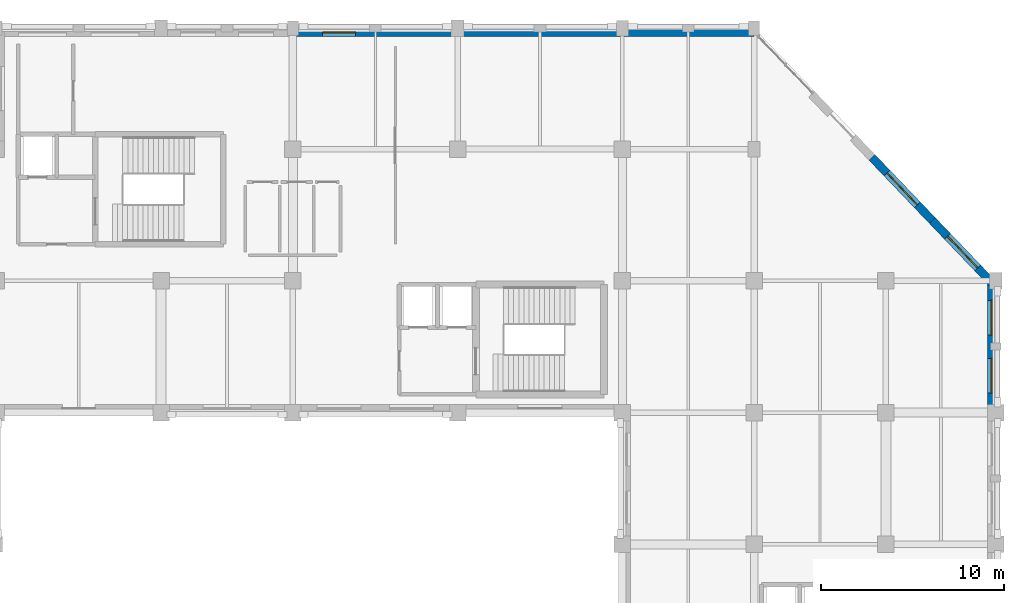
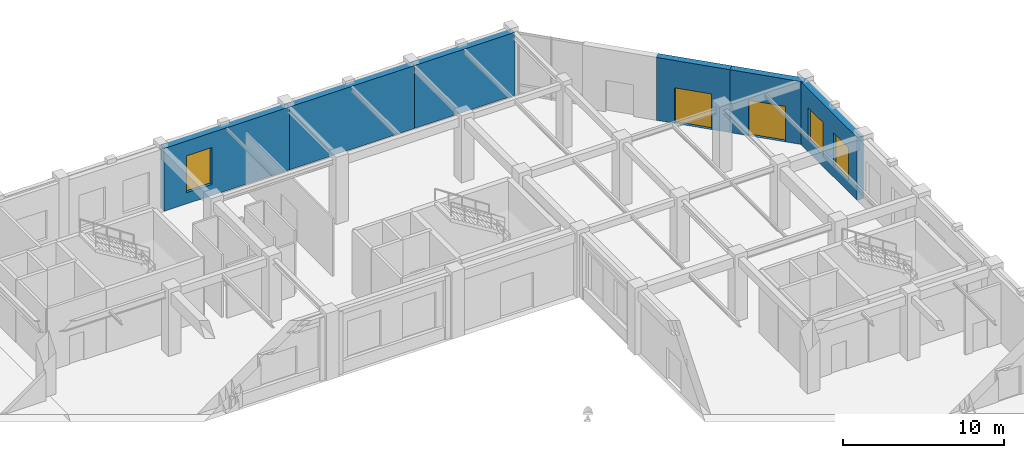
# One storey, part 55 of 64: 6 walls, 3 windows, 2 doors, 5 openings.
"""IFC4 building model written with IfcOpenShell, lengths in metres."""

from ifc_helpers import new_model, si_unit, direction, frame, frame_2d, origin, place, context, subcontext, project, spatial, rectangle, extrude, material, layer, layer_set, type_object, element, fill, save


model = new_model("IFC4")

# Units and contexts
model_context = context("Model", 3, precision=1e-05, world=origin(), true_north=direction((0.0, 1.0)))
body_context = subcontext(model_context, "Body", "Model", "MODEL_VIEW")
ifc_project = project(units=[si_unit("LENGTHUNIT", "METRE"), si_unit("AREAUNIT", "SQUARE_METRE"), si_unit("VOLUMEUNIT", "CUBIC_METRE"), si_unit("PLANEANGLEUNIT", "RADIAN"), si_unit("MASSUNIT", "GRAM", prefix="KILO")], contexts=[model_context])

# Site, building, storey
site_placement = place(None, origin())
site = spatial("IfcSite", under=ifc_project, at=site_placement, CompositionType="ELEMENT")
building_placement = place(site_placement, origin())
building = spatial("IfcBuilding", under=site, at=building_placement, Name="Clarverna Civic Hall", CompositionType="ELEMENT")
storey_placement = place(building_placement, origin())
storey = spatial("IfcBuildingStorey", under=building, at=storey_placement, Name="L00", CompositionType="ELEMENT", Elevation=0.0)

# Wall, opening, window
ifc_material_1 = material(Name="Precast concrete C40/50", Category="concrete")
ifc_layer = layer(ifc_material_1, 0.449951171875)
ifc_layer_set = layer_set([ifc_layer], Name="Precast concrete C40/50")
wall_type = type_object("IfcWallType", Name="EW-01", PredefinedType="SOLIDWALL", material=ifc_layer_set)
wall_1_placement = place(storey_placement, frame((129.60009765625, 115.77490234375, 0.0), z_axis=(0.0, 0.0, 1.0), x_axis=(1.0, 0.0, 0.0)))
wall_1 = element("IfcWall", 1, at=wall_1_placement, inside=storey, type_object=wall_type, Name="EW-01-037", PredefinedType="SOLIDWALL", context=body_context, shape_type="SweptSolid", body=[
    extrude(rectangle(XDim=9.0, YDim=0.449951171875, at=frame_2d((4.5, 0.0))), origin(), (0.0, 0.0, 1.0), 4.780029296875),
])
opening_1_placement = place(wall_1_placement, frame((1.6201171875, 0.0, 0.85009765625)))
opening_1 = element("IfcOpeningElement", 2, at=opening_1_placement, cuts=wall_1, Name="Opening WN-01", PredefinedType="OPENING", context=body_context, shape_type="SweptSolid", body=[
    extrude(rectangle(XDim=1.800048828125, YDim=2.800048828125, at=frame_2d((0.89990234375, 1.39990234375))), frame((0.0, 0.23486328125, 0.0), z_axis=(0.0, -1.0, 0.0), x_axis=(1.0, 0.0, 0.0)), (0.0, 0.0, 1.0), 0.469970703125),
])
ifc_material_2 = material(Name="Solar-Control Argon Low-E Double Glazing", Category="glass")
window_type_1 = type_object("IfcWindowType", Name="WN-01", PartitioningType="DOUBLE_PANEL_VERTICAL", PredefinedType="WINDOW", material=ifc_material_2)
window_1_placement = place(opening_1_placement, origin())
window_1 = element("IfcWindow", 3, at=window_1_placement, inside=storey, type_object=window_type_1, Name="WN-01-011", OverallHeight=2.800048828125, OverallWidth=1.800048828125, PartitioningType="DOUBLE_PANEL_VERTICAL", PredefinedType="WINDOW", context=body_context, shape_type="SweptSolid", body=[
    extrude(rectangle(XDim=1.800048828125, YDim=2.800048828125, at=frame_2d((0.89990234375, 1.39990234375))), frame((0.0, 0.030029296875, 0.0), z_axis=(0.0, -1.0, 0.0), x_axis=(1.0, 0.0, 0.0)), (0.0, 0.0, 1.0), 0.06005859375),
])
fill(opening_1, window_1)

# Walls
wall_2_placement = place(storey_placement, frame((138.60009765625, 115.77490234375, 0.0), z_axis=(0.0, 0.0, 1.0), x_axis=(1.0, 0.0, 0.0)))
element("IfcWall", 4, at=wall_2_placement, inside=storey, type_object=wall_type, Name="EW-01-038", PredefinedType="SOLIDWALL", context=body_context, shape_type="SweptSolid", body=[
    extrude(rectangle(XDim=9.0, YDim=0.449951171875, at=frame_2d((4.5, 0.0))), origin(), (0.0, 0.0, 1.0), 4.780029296875),
])
wall_3_placement = place(storey_placement, frame((147.60009765625, 115.77490234375, 0.0), z_axis=(0.0, 0.0, 1.0), x_axis=(1.0, 0.0, 0.0)))
element("IfcWall", 5, at=wall_3_placement, inside=storey, type_object=wall_type, Name="EW-01-039", PredefinedType="SOLIDWALL", context=body_context, shape_type="SweptSolid", body=[
    extrude(rectangle(XDim=7.199951171875, YDim=0.449951171875, at=frame_2d((3.60009765625, 0.0))), origin(), (0.0, 0.0, 1.0), 4.780029296875),
])

# Wall, opening, door
wall_4_placement = place(storey_placement, frame((161.2373046875, 108.944580078125, 0.0), z_axis=(0.0, 0.0, 1.0), x_axis=(0.691207552319, -0.722656294249, 0.0)))
wall_4 = element("IfcWall", 6, at=wall_4_placement, inside=storey, type_object=wall_type, Name="EW-01-041", PredefinedType="SOLIDWALL", context=body_context, shape_type="SweptSolid", body=[
    extrude(rectangle(XDim=4.7744140625, YDim=0.449951171875, at=frame_2d((2.38720703125, 0.0))), origin(), (0.0, 0.0, 1.0), 4.780029296875),
])
opening_2_placement = place(wall_4_placement, frame((1.18701171875, 0.0, 0.0)))
opening_2 = element("IfcOpeningElement", 7, at=opening_2_placement, cuts=wall_4, Name="Opening ED-01", PredefinedType="OPENING", context=body_context, shape_type="SweptSolid", body=[
    extrude(rectangle(XDim=2.39990234375, YDim=2.699951171875, at=frame_2d((1.199951171875, 1.35009765625))), frame((0.0, 0.23486328125, 0.0), z_axis=(0.0, -1.0, 0.0), x_axis=(1.0, 0.0, 0.0)), (0.0, 0.0, 1.0), 0.469970703125),
])
ifc_material_3 = material(Name="Anodised Bronze Glazed Door")
door_type = type_object("IfcDoorType", Name="ED-01", OperationType="DOUBLE_DOOR_SINGLE_SWING", PredefinedType="DOOR", material=ifc_material_3)
door_1_placement = place(opening_2_placement, origin())
door_1 = element("IfcDoor", 8, at=door_1_placement, inside=storey, type_object=door_type, Name="ED-01-009", OperationType="DOUBLE_DOOR_SINGLE_SWING", OverallHeight=2.699951171875, OverallWidth=2.39990234375, PredefinedType="DOOR", context=body_context, shape_type="SweptSolid", body=[
    extrude(rectangle(XDim=2.39990234375, YDim=2.699951171875, at=frame_2d((1.199951171875, 1.35009765625))), frame((0.0, 0.02490234375, 0.0), z_axis=(0.0, -1.0, 0.0), x_axis=(1.0, 0.0, 0.0)), (0.0, 0.0, 1.0), 0.050048828125),
])
fill(opening_2, door_1)

wall_5_placement = place(storey_placement, frame((164.537353515625, 105.494384765625, 0.0), z_axis=(0.0, 0.0, 1.0), x_axis=(0.691233095626, -0.722631861677, 0.0)))
wall_5 = element("IfcWall", 9, at=wall_5_placement, inside=storey, type_object=wall_type, Name="EW-01-042", PredefinedType="SOLIDWALL", context=body_context, shape_type="SweptSolid", body=[
    extrude(rectangle(XDim=4.774169921875, YDim=0.449951171875, at=frame_2d((2.38720703125, 0.0))), origin(), (0.0, 0.0, 1.0), 4.780029296875),
])
opening_3_placement = place(wall_5_placement, frame((1.18701171875, 0.0, 0.0)))
opening_3 = element("IfcOpeningElement", 10, at=opening_3_placement, cuts=wall_5, Name="Opening ED-01", PredefinedType="OPENING", context=body_context, shape_type="SweptSolid", body=[
    extrude(rectangle(XDim=2.39990234375, YDim=2.699951171875, at=frame_2d((1.199951171875, 1.35009765625))), frame((0.0, 0.23486328125, 0.0), z_axis=(0.0, -1.0, 0.0), x_axis=(1.0, 0.0, 0.0)), (0.0, 0.0, 1.0), 0.469970703125),
])
door_2_placement = place(opening_3_placement, origin())
door_2 = element("IfcDoor", 11, at=door_2_placement, inside=storey, type_object=door_type, Name="ED-01-010", OperationType="DOUBLE_DOOR_SINGLE_SWING", OverallHeight=2.699951171875, OverallWidth=2.39990234375, PredefinedType="DOOR", context=body_context, shape_type="SweptSolid", body=[
    extrude(rectangle(XDim=2.39990234375, YDim=2.699951171875, at=frame_2d((1.199951171875, 1.35009765625))), frame((0.0, 0.02490234375, 0.0), z_axis=(0.0, -1.0, 0.0), x_axis=(1.0, 0.0, 0.0)), (0.0, 0.0, 1.0), 0.050048828125),
])
fill(opening_3, door_2)

# Wall, openings, windows
wall_6_placement = place(storey_placement, frame((167.77490234375, 102.199951171875, 0.0), z_axis=(0.0, 0.0, 1.0), x_axis=(0.0, -1.0, 0.0)))
wall_6 = element("IfcWall", 12, at=wall_6_placement, inside=storey, type_object=wall_type, Name="EW-01-043", PredefinedType="SOLIDWALL", context=body_context, shape_type="SweptSolid", body=[
    extrude(rectangle(XDim=7.199951171875, YDim=0.449951171875, at=frame_2d((3.60009765625, 0.0))), origin(), (0.0, 0.0, 1.0), 4.780029296875),
])
opening_4_placement = place(wall_6_placement, frame((1.06591796875, 0.0, 0.85009765625)))
opening_4 = element("IfcOpeningElement", 13, at=opening_4_placement, cuts=wall_6, Name="Opening WN-30", PredefinedType="OPENING", context=body_context, shape_type="SweptSolid", body=[
    extrude(rectangle(XDim=1.89990234375, YDim=2.5, at=frame_2d((0.949951171875, 1.25))), frame((0.0, 0.23486328125, 0.0), z_axis=(0.0, -1.0, 0.0), x_axis=(1.0, 0.0, 0.0)), (0.0, 0.0, 1.0), 0.469970703125),
])
opening_5_placement = place(wall_6_placement, frame((4.23388671875, 0.0, 0.85009765625)))
opening_5 = element("IfcOpeningElement", 14, at=opening_5_placement, cuts=wall_6, Name="Opening WN-30", PredefinedType="OPENING", context=body_context, shape_type="SweptSolid", body=[
    extrude(rectangle(XDim=1.89990234375, YDim=2.5, at=frame_2d((0.949951171875, 1.25))), frame((0.0, 0.23486328125, 0.0), z_axis=(0.0, -1.0, 0.0), x_axis=(1.0, 0.0, 0.0)), (0.0, 0.0, 1.0), 0.469970703125),
])
window_type_2 = type_object("IfcWindowType", Name="WN-30", PartitioningType="DOUBLE_PANEL_VERTICAL", PredefinedType="WINDOW", material=ifc_material_2)
window_2_placement = place(opening_4_placement, origin())
window_2 = element("IfcWindow", 15, at=window_2_placement, inside=storey, type_object=window_type_2, Name="WN-30-010", OverallHeight=2.5, OverallWidth=1.89990234375, PartitioningType="DOUBLE_PANEL_VERTICAL", PredefinedType="WINDOW", context=body_context, shape_type="SweptSolid", body=[
    extrude(rectangle(XDim=1.89990234375, YDim=2.5, at=frame_2d((0.949951171875, 1.25))), frame((0.0, 0.030029296875, 0.0), z_axis=(0.0, -1.0, 0.0), x_axis=(1.0, 0.0, 0.0)), (0.0, 0.0, 1.0), 0.06005859375),
])
fill(opening_4, window_2)
window_3_placement = place(opening_5_placement, origin())
window_3 = element("IfcWindow", 16, at=window_3_placement, inside=storey, type_object=window_type_2, Name="WN-30-011", OverallHeight=2.5, OverallWidth=1.89990234375, PartitioningType="DOUBLE_PANEL_VERTICAL", PredefinedType="WINDOW", context=body_context, shape_type="SweptSolid", body=[
    extrude(rectangle(XDim=1.89990234375, YDim=2.5, at=frame_2d((0.949951171875, 1.25))), frame((0.0, 0.030029296875, 0.0), z_axis=(0.0, -1.0, 0.0), x_axis=(1.0, 0.0, 0.0)), (0.0, 0.0, 1.0), 0.06005859375),
])
fill(opening_5, window_3)

save(model, "model.ifc")
